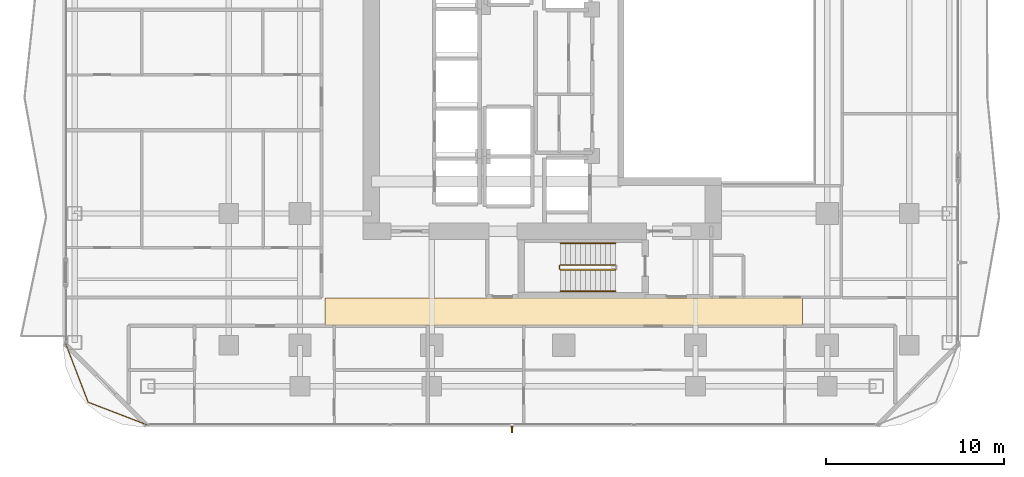
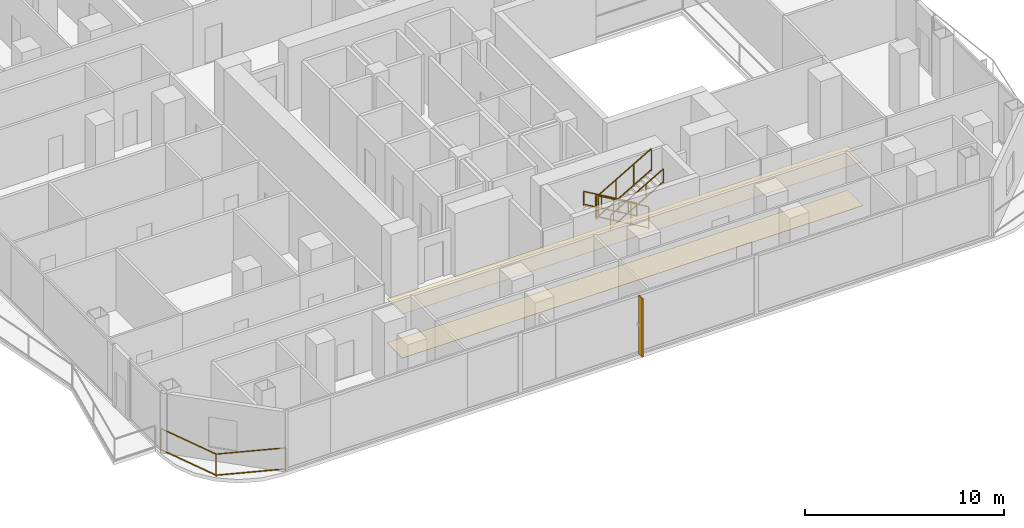
# One storey, part 25 of 28: 6 railings, 2 coverings, 1 shading device.
"""IFC4 building model written with IfcOpenShell, lengths in metres."""

from ifc_helpers import new_model, si_unit, direction, frame, origin, origin_2d, place, context, subcontext, project, spatial, polyline, rectangle, outline, extrude, material, layer, layer_set, type_object, element, save


model = new_model("IFC4")

# Units and contexts
model_context = context("Model", 3, precision=1e-05, world=origin(), true_north=direction((0.0, 1.0)))
body_context = subcontext(model_context, "Body", "Model", "MODEL_VIEW")
ifc_project = project(units=[si_unit("LENGTHUNIT", "METRE"), si_unit("AREAUNIT", "SQUARE_METRE"), si_unit("VOLUMEUNIT", "CUBIC_METRE"), si_unit("PLANEANGLEUNIT", "RADIAN"), si_unit("MASSUNIT", "GRAM", prefix="KILO")], contexts=[model_context])

# Site, building, storey
site_placement = place(None, origin())
site = spatial("IfcSite", under=ifc_project, at=site_placement, CompositionType="ELEMENT")
building_placement = place(site_placement, origin())
building = spatial("IfcBuilding", under=site, at=building_placement, Name="Khorvyn Point Tower", CompositionType="ELEMENT")
storey_placement = place(building_placement, frame((0.0, 0.0, 89.10009765625)))
storey = spatial("IfcBuildingStorey", under=building, at=storey_placement, Name="L22", CompositionType="ELEMENT", Elevation=89.10009765625)

# Shading device
ifc_material_1 = material(Name="Bronze anodised aluminium 6063-T6", Category="aluminium")
ifc_layer_1 = layer(ifc_material_1, 0.06494140625)
ifc_layer_set_1 = layer_set([ifc_layer_1], Name="Bronze Anodised Aluminium FIN 380x65")
shading_device_type = type_object("IfcShadingDeviceType", Name="Bronze Anodised Aluminium FIN 380x65", PredefinedType="USERDEFINED", material=ifc_layer_set_1)
shading_device_placement = place(storey_placement, frame((-2.89990234375, -19.530029296875, 0.039794921875), z_axis=(0.0, 0.0, 1.0), x_axis=(0.0, -1.0, 0.0)))
element("IfcShadingDevice", 1, at=shading_device_placement, inside=storey, type_object=shading_device_type, Name="L22 Anodised FIN 01", ObjectType="FIN", PredefinedType="USERDEFINED", context=body_context, shape_type="SweptSolid", body=[
    extrude(rectangle(XDim=0.3798828125, YDim=0.06494140625, at=origin_2d()), origin(), (0.0, 0.0, 1.0), 3.60009765625),
])

# Railing
ifc_material_2 = material(Name="Anodised aluminium 6063-T6 and laminated safety glass", Category="aluminium")
railing_type_1 = type_object("IfcRailingType", Name="Laminated Glass and Aluminium Balcony Guardrail 1400", PredefinedType="BALUSTRADE", material=ifc_material_2)
railing_1_placement = place(storey_placement, frame((-27.97412109375, -14.6708984375, 0.0)))
element("IfcRailing", 2, at=railing_1_placement, inside=storey, type_object=railing_type_1, Name="L22 Rounded Corner Edge Guardrail SW", PredefinedType="BALUSTRADE", context=body_context, shape_type="SweptSolid", body=[
    extrude(rectangle(XDim=0.048095703125, YDim=0.048095703125, at=origin_2d()), frame((0.0, 0.0, 1.3759765625), z_axis=(0.358441788428, -0.933552079055, 0.0), x_axis=(0.933552079055, 0.358441788428, 0.0)), (0.0, 0.0, 1.0), 3.56298828125),
    extrude(rectangle(XDim=0.048095703125, YDim=0.048095703125, at=origin_2d()), frame((0.0, 0.0, 0.080078125), z_axis=(0.358441788428, -0.933552079055, 0.0), x_axis=(0.933552079055, 0.358441788428, 0.0)), (0.0, 0.0, 1.0), 3.56298828125),
    extrude(rectangle(XDim=0.048095703125, YDim=0.048095703125, at=origin_2d()), frame((1.277099609375, -3.326171875, 1.3759765625), z_axis=(0.933575007025, -0.358382067435, 0.0), x_axis=(0.358382067435, 0.933575007025, 0.0)), (0.0, 0.0, 1.0), 3.562744140625),
    extrude(rectangle(XDim=0.048095703125, YDim=0.048095703125, at=origin_2d()), frame((1.277099609375, -3.326171875, 0.080078125), z_axis=(0.933575007025, -0.358382067435, 0.0), x_axis=(0.358382067435, 0.933575007025, 0.0)), (0.0, 0.0, 1.0), 3.562744140625),
    extrude(rectangle(XDim=0.0419921875, YDim=0.0419921875, at=origin_2d()), origin(), (0.0, 0.0, 1.0), 1.351806640625),
    extrude(rectangle(XDim=0.0419921875, YDim=0.0419921875, at=origin_2d()), frame((1.277099609375, -3.326171875, 0.0)), (0.0, 0.0, 1.0), 1.351806640625),
    extrude(rectangle(XDim=0.0419921875, YDim=0.0419921875, at=origin_2d()), frame((4.603271484375, -4.60302734375, 0.0)), (0.0, 0.0, 1.0), 1.351806640625),
])

# Coverings
ifc_material_3 = material(Name="Mineral-fibre acoustic ceiling board", Category="gypsum")
ifc_layer_2 = layer(ifc_material_3, 0.02001953125)
ifc_layer_set_2 = layer_set([ifc_layer_2], Name="Perforated Mineral-Fibre Acoustic Suspended Ceiling 20")
covering_type_1 = type_object("IfcCoveringType", Name="Perforated Mineral-Fibre Acoustic Suspended Ceiling 20", PredefinedType="CEILING", material=ifc_layer_set_2)
covering_1_placement = place(storey_placement, frame((0.0, 0.0, 2.699951171875)))
element("IfcCovering", 3, at=covering_1_placement, inside=storey, type_object=covering_type_1, Name="L22 South Corridor Acoustic Ceiling", PredefinedType="CEILING", context=body_context, shape_type="SweptSolid", body=[
    extrude(outline(polyline([(-13.39990234375, -13.7099609375), (13.39990234375, -13.7099609375), (13.39990234375, -12.139892578125), (-13.39990234375, -12.139892578125), (-13.39990234375, -13.7099609375)])), origin(), (0.0, 0.0, 1.0), 0.02001953125),
])
ifc_material_4 = material(Name="Vitrified porcelain terrazzo tile", Category="ceramic")
ifc_layer_3 = layer(ifc_material_4, 0.01806640625)
ifc_layer_set_3 = layer_set([ifc_layer_3], Name="Porcelain Terrazzo Corridor Floor Finish Tile 18")
covering_type_2 = type_object("IfcCoveringType", Name="Porcelain Terrazzo Corridor Floor Finish Tile 18", PredefinedType="FLOORING", material=ifc_layer_set_3)
covering_2_placement = place(storey_placement, origin())
element("IfcCovering", 4, at=covering_2_placement, inside=storey, type_object=covering_type_2, Name="L22 South Corridor Terrazzo Flooring", PredefinedType="FLOORING", context=body_context, shape_type="SweptSolid", body=[
    extrude(outline(polyline([(-13.39990234375, -13.7099609375), (13.39990234375, -13.7099609375), (13.39990234375, -12.139892578125), (-13.39990234375, -12.139892578125), (-13.39990234375, -13.7099609375)])), origin(), (0.0, 0.0, 1.0), 0.017822265625),
])

# Railings
ifc_material_5 = material(Name="Stainless steel 1.4301", Category="steel")
railing_type_2 = type_object("IfcRailingType", Name="Stainless Steel 304 Stair Pitch Handrail 900", PredefinedType="HANDRAIL", material=ifc_material_5)
railing_2_placement = place(storey_placement, frame((2.89990234375, -9.070068359375, 0.162353515625)))
element("IfcRailing", 5, at=railing_2_placement, inside=storey, type_object=railing_type_2, Name="L22 ST-01 stair handrail 1", PredefinedType="HANDRAIL", context=body_context, shape_type="SweptSolid", body=[
    extrude(rectangle(XDim=0.048095703125, YDim=0.048095703125, at=origin_2d()), frame((0.0, 0.0, 0.8759765625), z_axis=(-0.864873446163, 0.0, 0.501989962173), x_axis=(0.0, -1.0, 0.0)), (0.0, 0.0, 1.0), 3.56103515625),
    extrude(rectangle(XDim=0.048095703125, YDim=0.048095703125, at=origin_2d()), frame((0.0, 0.0, 0.080078125), z_axis=(-0.864873446163, 0.0, 0.501989962173), x_axis=(0.0, -1.0, 0.0)), (0.0, 0.0, 1.0), 3.56103515625),
    extrude(rectangle(XDim=0.0419921875, YDim=0.0419921875, at=origin_2d()), origin(), (0.0, 0.0, 1.0), 0.851806640625),
    extrude(rectangle(XDim=0.0419921875, YDim=0.0419921875, at=origin_2d()), frame((-1.026611328125, 0.0, 0.595947265625)), (0.0, 0.0, 1.0), 0.851806640625),
    extrude(rectangle(XDim=0.0419921875, YDim=0.0419921875, at=origin_2d()), frame((-2.05322265625, 0.0, 1.191650390625)), (0.0, 0.0, 1.0), 0.851806640625),
    extrude(rectangle(XDim=0.0419921875, YDim=0.0419921875, at=origin_2d()), frame((-3.079833984375, 0.0, 1.78759765625)), (0.0, 0.0, 1.0), 0.851806640625),
])
railing_3_placement = place(storey_placement, frame((-0.179931640625, -11.77001953125, 2.1123046875)))
element("IfcRailing", 6, at=railing_3_placement, inside=storey, type_object=railing_type_2, Name="L22 ST-01 stair handrail 2", PredefinedType="HANDRAIL", context=body_context, shape_type="SweptSolid", body=[
    extrude(rectangle(XDim=0.048095703125, YDim=0.048095703125, at=origin_2d()), frame((0.0, 0.0, 0.8759765625), z_axis=(0.864873446163, 0.0, 0.501989962173), x_axis=(0.0, 1.0, 0.0)), (0.0, 0.0, 1.0), 3.56103515625),
    extrude(rectangle(XDim=0.048095703125, YDim=0.048095703125, at=origin_2d()), frame((0.0, 0.0, 0.080078125), z_axis=(0.864873446163, 0.0, 0.501989962173), x_axis=(0.0, 1.0, 0.0)), (0.0, 0.0, 1.0), 3.56103515625),
    extrude(rectangle(XDim=0.0419921875, YDim=0.0419921875, at=origin_2d()), origin(), (0.0, 0.0, 1.0), 0.851806640625),
    extrude(rectangle(XDim=0.0419921875, YDim=0.0419921875, at=origin_2d()), frame((1.026611328125, 0.0, 0.595947265625)), (0.0, 0.0, 1.0), 0.851806640625),
    extrude(rectangle(XDim=0.0419921875, YDim=0.0419921875, at=origin_2d()), frame((2.05322265625, 0.0, 1.191650390625)), (0.0, 0.0, 1.0), 0.851806640625),
    extrude(rectangle(XDim=0.0419921875, YDim=0.0419921875, at=origin_2d()), frame((3.079833984375, 0.0, 1.78759765625)), (0.0, 0.0, 1.0), 0.851806640625),
])
railing_type_3 = type_object("IfcRailingType", Name="Stainless Steel 304 Stair Well Guardrail 1400", PredefinedType="GUARDRAIL", material=ifc_material_5)
railing_4_placement = place(storey_placement, frame((2.89990234375, -10.2900390625, 0.162353515625)))
element("IfcRailing", 7, at=railing_4_placement, inside=storey, type_object=railing_type_3, Name="L22 ST-01 stair guard 1", PredefinedType="GUARDRAIL", context=body_context, shape_type="SweptSolid", body=[
    extrude(rectangle(XDim=0.048095703125, YDim=0.048095703125, at=origin_2d()), frame((0.0, 0.0, 1.3759765625), z_axis=(-0.864873446163, 0.0, 0.501989962173), x_axis=(0.0, -1.0, 0.0)), (0.0, 0.0, 1.0), 3.56103515625),
    extrude(rectangle(XDim=0.048095703125, YDim=0.048095703125, at=origin_2d()), frame((0.0, 0.0, 0.080078125), z_axis=(-0.864873446163, 0.0, 0.501989962173), x_axis=(0.0, -1.0, 0.0)), (0.0, 0.0, 1.0), 3.56103515625),
    extrude(rectangle(XDim=0.0419921875, YDim=0.0419921875, at=origin_2d()), origin(), (0.0, 0.0, 1.0), 1.351806640625),
    extrude(rectangle(XDim=0.0419921875, YDim=0.0419921875, at=origin_2d()), frame((-1.026611328125, 0.0, 0.595947265625)), (0.0, 0.0, 1.0), 1.351806640625),
    extrude(rectangle(XDim=0.0419921875, YDim=0.0419921875, at=origin_2d()), frame((-2.05322265625, 0.0, 1.191650390625)), (0.0, 0.0, 1.0), 1.351806640625),
    extrude(rectangle(XDim=0.0419921875, YDim=0.0419921875, at=origin_2d()), frame((-3.079833984375, 0.0, 1.78759765625)), (0.0, 0.0, 1.0), 1.351806640625),
])
railing_5_placement = place(storey_placement, frame((-0.22998046875, -10.340087890625, 1.949951171875)))
element("IfcRailing", 8, at=railing_5_placement, inside=storey, type_object=railing_type_3, Name="L22 ST-01 stair guard 2", PredefinedType="GUARDRAIL", context=body_context, shape_type="SweptSolid", body=[
    extrude(rectangle(XDim=0.048095703125, YDim=0.048095703125, at=origin_2d()), frame((0.0, 0.0, 1.3759765625), z_axis=(0.0, -1.0, 0.0), x_axis=(1.0, 0.0, 0.0)), (0.0, 0.0, 1.0), 0.159912109375),
    extrude(rectangle(XDim=0.048095703125, YDim=0.048095703125, at=origin_2d()), frame((0.0, 0.0, 0.080078125), z_axis=(0.0, -1.0, 0.0), x_axis=(1.0, 0.0, 0.0)), (0.0, 0.0, 1.0), 0.159912109375),
    extrude(rectangle(XDim=0.0419921875, YDim=0.0419921875, at=origin_2d()), origin(), (0.0, 0.0, 1.0), 1.351806640625),
    extrude(rectangle(XDim=0.0419921875, YDim=0.0419921875, at=origin_2d()), frame((0.0, -0.159912109375, 0.0)), (0.0, 0.0, 1.0), 1.351806640625),
])
railing_6_placement = place(storey_placement, frame((-0.179931640625, -10.550048828125, 2.1123046875)))
element("IfcRailing", 9, at=railing_6_placement, inside=storey, type_object=railing_type_3, Name="L22 ST-01 stair guard 3", PredefinedType="GUARDRAIL", context=body_context, shape_type="SweptSolid", body=[
    extrude(rectangle(XDim=0.048095703125, YDim=0.048095703125, at=origin_2d()), frame((0.0, 0.0, 1.3759765625), z_axis=(0.864873446163, 0.0, 0.501989962173), x_axis=(0.0, 1.0, 0.0)), (0.0, 0.0, 1.0), 3.56103515625),
    extrude(rectangle(XDim=0.048095703125, YDim=0.048095703125, at=origin_2d()), frame((0.0, 0.0, 0.080078125), z_axis=(0.864873446163, 0.0, 0.501989962173), x_axis=(0.0, 1.0, 0.0)), (0.0, 0.0, 1.0), 3.56103515625),
    extrude(rectangle(XDim=0.0419921875, YDim=0.0419921875, at=origin_2d()), origin(), (0.0, 0.0, 1.0), 1.351806640625),
    extrude(rectangle(XDim=0.0419921875, YDim=0.0419921875, at=origin_2d()), frame((1.026611328125, 0.0, 0.595947265625)), (0.0, 0.0, 1.0), 1.351806640625),
    extrude(rectangle(XDim=0.0419921875, YDim=0.0419921875, at=origin_2d()), frame((2.05322265625, 0.0, 1.191650390625)), (0.0, 0.0, 1.0), 1.351806640625),
    extrude(rectangle(XDim=0.0419921875, YDim=0.0419921875, at=origin_2d()), frame((3.079833984375, 0.0, 1.78759765625)), (0.0, 0.0, 1.0), 1.351806640625),
])

save(model, "model.ifc")
